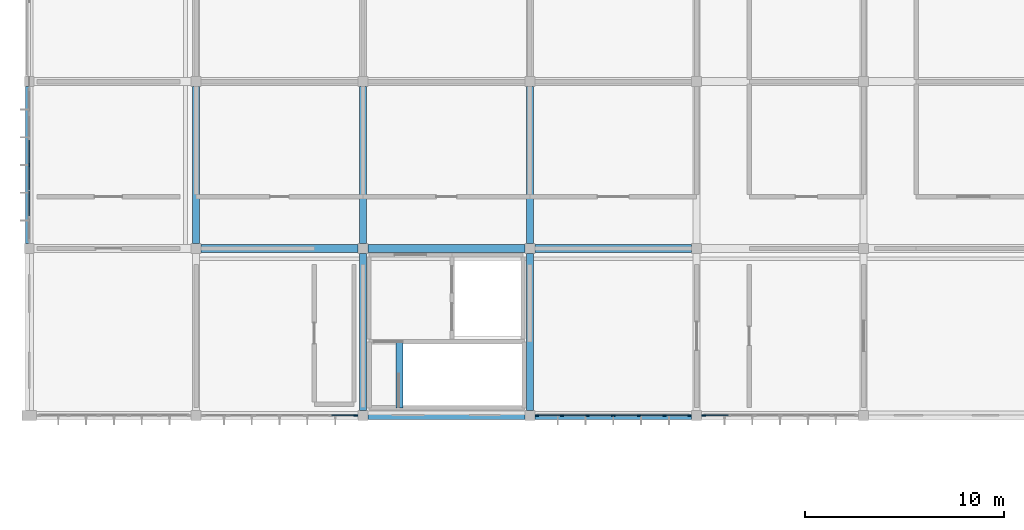
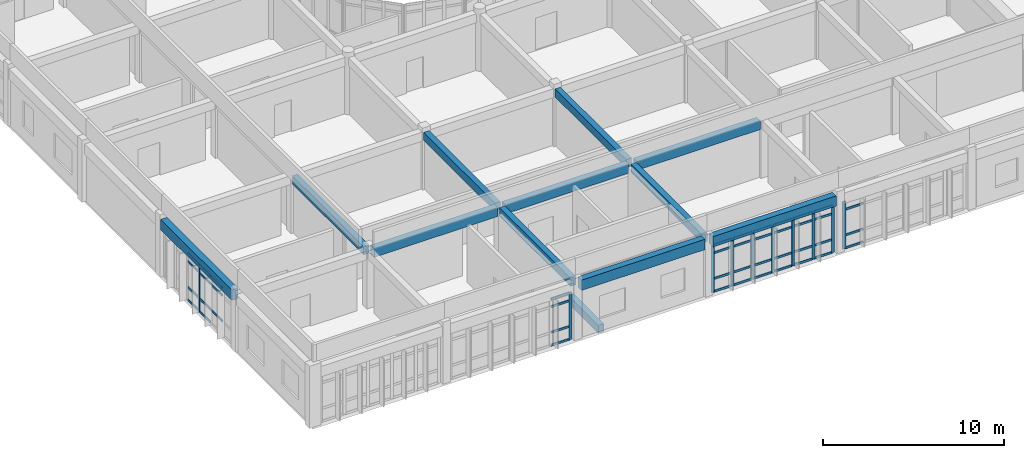
# One storey, part 4 of 119: 52 members, 12 beams, 4 elements without a shape of their own.
"""IFC4 building model written with IfcOpenShell, lengths in metres."""

from ifc_helpers import new_model, si_unit, direction, frame, origin, origin_2d, place, context, subcontext, project, spatial, rectangle, extrude, material, layer, layer_set, material_profile, profile_set, type_object, element, aggregate, save


model = new_model("IFC4")

# Units and contexts
model_context = context("Model", 3, precision=1e-05, world=origin(), true_north=direction((0.0, 1.0)))
body_context = subcontext(model_context, "Body", "Model", "MODEL_VIEW")
ifc_project = project(units=[si_unit("LENGTHUNIT", "METRE"), si_unit("AREAUNIT", "SQUARE_METRE"), si_unit("VOLUMEUNIT", "CUBIC_METRE"), si_unit("PLANEANGLEUNIT", "RADIAN"), si_unit("MASSUNIT", "GRAM", prefix="KILO")], contexts=[model_context])

# Site, building, storey
site_placement = place(None, origin())
site = spatial("IfcSite", under=ifc_project, at=site_placement, CompositionType="ELEMENT")
building_placement = place(site_placement, origin())
building = spatial("IfcBuilding", under=site, at=building_placement, Name="Bramfleet General Hospital", CompositionType="ELEMENT")
storey_placement = place(building_placement, frame((0.0, 0.0, 14.39990234375)))
storey = spatial("IfcBuildingStorey", under=building, at=storey_placement, Name="L03", CompositionType="ELEMENT", Elevation=14.39990234375)

# Beams
ifc_material_1 = material(Name="Concrete C35/45", Category="concrete")
ifc_material_profile_1 = material_profile(ifc_material_1, rectangle(XDim=0.35009765625, YDim=0.550048828125, at=origin_2d()), Name="RC BM 550x350")
ifc_profile_set_1 = profile_set([ifc_material_profile_1], Name="Concrete C35/45")
beam_type_1 = type_object("IfcBeamType", Name="BM-RC550", PredefinedType="BEAM", material=ifc_profile_set_1)
beam_1_placement = place(storey_placement, frame((8.39990234375, 59.050048828125, 3.614990234375), z_axis=(0.0, 1.0, 0.0), x_axis=(-1.0, 0.0, 0.0)))
element("IfcBeam", 1, at=beam_1_placement, inside=storey, type_object=beam_type_1, Name="L03 Grid Beam Y 01-07", PredefinedType="BEAM", context=body_context, shape_type="SweptSolid", body=[
    extrude(rectangle(XDim=0.35009765625, YDim=0.550048828125, at=origin_2d()), origin(), (0.0, 0.0, 1.0), 7.89990234375),
])
beam_2_placement = place(storey_placement, frame((16.800048828125, 50.64990234375, 3.625), z_axis=(0.0, 1.0, 0.0), x_axis=(-1.0, 0.0, 0.0)))
element("IfcBeam", 2, at=beam_2_placement, inside=storey, type_object=beam_type_1, Name="L03 Grid Beam Y 02-06", PredefinedType="BEAM", context=body_context, shape_type="SweptSolid", body=[
    extrude(rectangle(XDim=0.35009765625, YDim=0.550048828125, at=origin_2d()), origin(), (0.0, 0.0, 1.0), 7.900146484375),
])
beam_3_placement = place(storey_placement, frame((16.800048828125, 59.050048828125, 3.614990234375), z_axis=(0.0, 1.0, 0.0), x_axis=(-1.0, 0.0, 0.0)))
element("IfcBeam", 3, at=beam_3_placement, inside=storey, type_object=beam_type_1, Name="L03 Grid Beam Y 02-07", PredefinedType="BEAM", context=body_context, shape_type="SweptSolid", body=[
    extrude(rectangle(XDim=0.35009765625, YDim=0.550048828125, at=origin_2d()), origin(), (0.0, 0.0, 1.0), 7.89990234375),
])
beam_4_placement = place(storey_placement, frame((25.199951171875, 50.64990234375, 3.625), z_axis=(0.0, 1.0, 0.0), x_axis=(-1.0, 0.0, 0.0)))
element("IfcBeam", 4, at=beam_4_placement, inside=storey, type_object=beam_type_1, Name="L03 Grid Beam Y 03-06", PredefinedType="BEAM", context=body_context, shape_type="SweptSolid", body=[
    extrude(rectangle(XDim=0.35009765625, YDim=0.550048828125, at=origin_2d()), origin(), (0.0, 0.0, 1.0), 7.900146484375),
])
beam_5_placement = place(storey_placement, frame((25.199951171875, 59.050048828125, 3.614990234375), z_axis=(0.0, 1.0, 0.0), x_axis=(-1.0, 0.0, 0.0)))
element("IfcBeam", 5, at=beam_5_placement, inside=storey, type_object=beam_type_1, Name="L03 Grid Beam Y 03-07", PredefinedType="BEAM", context=body_context, shape_type="SweptSolid", body=[
    extrude(rectangle(XDim=0.35009765625, YDim=0.550048828125, at=origin_2d()), origin(), (0.0, 0.0, 1.0), 7.89990234375),
])
beam_6_placement = place(storey_placement, frame((18.639892578125, 50.780029296875, -0.27490234375), z_axis=(0.0, 1.0, 0.0), x_axis=(-1.0, 0.0, 0.0)))
element("IfcBeam", 6, at=beam_6_placement, inside=storey, type_object=beam_type_1, Name="L03 C2 Stairwell Trimmer Beam", PredefinedType="BEAM", context=body_context, shape_type="SweptSolid", body=[
    extrude(rectangle(XDim=0.35009765625, YDim=0.550048828125, at=origin_2d()), origin(), (0.0, 0.0, 1.0), 3.320068359375),
])
ifc_material_profile_2 = material_profile(ifc_material_1, rectangle(XDim=0.39990234375, YDim=0.60009765625, at=origin_2d()), Name="RC BM 600x400")
ifc_profile_set_2 = profile_set([ifc_material_profile_2], Name="Concrete C35/45")
beam_type_2 = type_object("IfcBeamType", Name="BM-RC600", PredefinedType="BEAM", material=ifc_profile_set_2)
beam_7_placement = place(storey_placement, frame((8.64990234375, 58.800048828125, 3.590087890625), z_axis=(1.0, 0.0, 0.0), x_axis=(0.0, 1.0, 0.0)))
element("IfcBeam", 7, at=beam_7_placement, inside=storey, type_object=beam_type_2, Name="L03 Grid Beam X 01-07", PredefinedType="BEAM", context=body_context, shape_type="SweptSolid", body=[
    extrude(rectangle(XDim=0.39990234375, YDim=0.60009765625, at=origin_2d()), origin(), (0.0, 0.0, 1.0), 7.900146484375),
])
beam_8_placement = place(storey_placement, frame((17.050048828125, 58.800048828125, 3.590087890625), z_axis=(1.0, 0.0, 0.0), x_axis=(0.0, 1.0, 0.0)))
element("IfcBeam", 8, at=beam_8_placement, inside=storey, type_object=beam_type_2, Name="L03 Grid Beam X 02-07", PredefinedType="BEAM", context=body_context, shape_type="SweptSolid", body=[
    extrude(rectangle(XDim=0.39990234375, YDim=0.60009765625, at=origin_2d()), origin(), (0.0, 0.0, 1.0), 7.89990234375),
])
beam_9_placement = place(storey_placement, frame((25.449951171875, 58.800048828125, 3.590087890625), z_axis=(1.0, 0.0, 0.0), x_axis=(0.0, 1.0, 0.0)))
element("IfcBeam", 9, at=beam_9_placement, inside=storey, type_object=beam_type_2, Name="L03 Grid Beam X 03-07", PredefinedType="BEAM", context=body_context, shape_type="SweptSolid", body=[
    extrude(rectangle(XDim=0.39990234375, YDim=0.60009765625, at=origin_2d()), origin(), (0.0, 0.0, 1.0), 7.900146484375),
])
ifc_material_profile_3 = material_profile(ifc_material_1, rectangle(XDim=0.39990234375, YDim=0.699951171875, at=origin_2d()), Name="RC SP 700x400")
ifc_profile_set_3 = profile_set([ifc_material_profile_3], Name="Concrete C35/45")
beam_type_3 = type_object("IfcBeamType", Name="BM-SP700", PredefinedType="SPANDREL", material=ifc_profile_set_3)
beam_10_placement = place(storey_placement, frame((17.050048828125, 50.39990234375, 3.550048828125), z_axis=(1.0, 0.0, 0.0), x_axis=(0.0, 1.0, 0.0)))
element("IfcBeam", 10, at=beam_10_placement, inside=storey, type_object=beam_type_3, Name="L03 Grid Beam X 02-06", PredefinedType="SPANDREL", context=body_context, shape_type="SweptSolid", body=[
    extrude(rectangle(XDim=0.39990234375, YDim=0.699951171875, at=origin_2d()), origin(), (0.0, 0.0, 1.0), 7.89990234375),
])
beam_11_placement = place(storey_placement, frame((25.449951171875, 50.39990234375, 3.550048828125), z_axis=(1.0, 0.0, 0.0), x_axis=(0.0, 1.0, 0.0)))
element("IfcBeam", 11, at=beam_11_placement, inside=storey, type_object=beam_type_3, Name="L03 Grid Beam X 03-06", PredefinedType="SPANDREL", context=body_context, shape_type="SweptSolid", body=[
    extrude(rectangle(XDim=0.39990234375, YDim=0.699951171875, at=origin_2d()), origin(), (0.0, 0.0, 1.0), 7.900146484375),
])
beam_12_placement = place(storey_placement, frame((0.0, 59.050048828125, 3.550048828125), z_axis=(0.0, 1.0, 0.0), x_axis=(-1.0, 0.0, 0.0)))
element("IfcBeam", 12, at=beam_12_placement, inside=storey, type_object=beam_type_3, Name="L03 Grid Beam Y 00-07", PredefinedType="SPANDREL", context=body_context, shape_type="SweptSolid", body=[
    extrude(rectangle(XDim=0.39990234375, YDim=0.699951171875, at=origin_2d()), origin(), (0.0, 0.0, 1.0), 7.89990234375),
])

# Curtain wall, member
ifc_material_2 = material(Name="Anodised aluminium and low-E triple glazing", Category="aluminium")
ifc_layer_1 = layer(ifc_material_2, 0.179931640625, Name="CWT-CW-16")
ifc_layer_set_1 = layer_set([ifc_layer_1], Name="Anodised aluminium and low-E triple glazing")
curtain_wall_type_1 = type_object("IfcCurtainWallType", Name="CWT-CW-16", PredefinedType="USERDEFINED", material=ifc_layer_set_1)
curtain_wall_1_placement = place(storey_placement, origin())
curtain_wall_1 = element("IfcCurtainWall", 13, at=curtain_wall_1_placement, inside=storey, type_object=curtain_wall_type_1, Name="L03 Curtain Wall 142", ObjectType="Stick curtain wall", PredefinedType="USERDEFINED")
ifc_material_3 = material(Name="Structural timber GL28h", Category="wood")
ifc_material_profile_4 = material_profile(ifc_material_3, rectangle(XDim=0.070068359375, YDim=0.18994140625, at=origin_2d()), Name="LARCH 190x70")
ifc_profile_set_4 = profile_set([ifc_material_profile_4], Name="Structural timber GL28h")
member_type_1 = type_object("IfcMemberType", Name="CWM-LARCH450", PredefinedType="MULLION", material=ifc_profile_set_4)
member_1_placement = place(storey_placement, frame((0.0, 63.0, 0.0), z_axis=(0.0, 0.0, 1.0), x_axis=(-1.0, 0.0, 0.0)))
member_1 = element("IfcMember", 14, at=member_1_placement, type_object=member_type_1, Name="CW-16 mullion 4", PredefinedType="MULLION", context=body_context, shape_type="SweptSolid", body=[
    extrude(rectangle(XDim=0.070068359375, YDim=0.18994140625, at=origin_2d()), origin(), (0.0, 0.0, 1.0), 3.190185546875),
])

ifc_layer_2 = layer(ifc_material_2, 0.179931640625, Name="CWT-CW-03")
ifc_layer_set_2 = layer_set([ifc_layer_2], Name="Anodised aluminium and low-E triple glazing")
curtain_wall_type_2 = type_object("IfcCurtainWallType", Name="CWT-CW-03", PredefinedType="USERDEFINED", material=ifc_layer_set_2)
curtain_wall_2_placement = place(storey_placement, origin())
curtain_wall_2 = element("IfcCurtainWall", 15, at=curtain_wall_2_placement, inside=storey, type_object=curtain_wall_type_2, Name="L03 Curtain Wall 183", ObjectType="Unitised curtain wall", PredefinedType="USERDEFINED")
member_2_placement = place(storey_placement, frame((33.9599609375, 50.39990234375, 0.0), z_axis=(0.0, 0.0, 1.0), x_axis=(0.0, -1.0, 0.0)))
member_2 = element("IfcMember", 16, at=member_2_placement, type_object=member_type_1, Name="CW-03 mullion 7", PredefinedType="MULLION", context=body_context, shape_type="SweptSolid", body=[
    extrude(rectangle(XDim=0.070068359375, YDim=0.18994140625, at=origin_2d()), origin(), (0.0, 0.0, 1.0), 3.190185546875),
])

# Curtain wall, members
ifc_layer_3 = layer(ifc_material_2, 0.179931640625, Name="CWT-CW-04")
ifc_layer_set_3 = layer_set([ifc_layer_3], Name="Anodised aluminium and low-E triple glazing")
curtain_wall_type_3 = type_object("IfcCurtainWallType", Name="CWT-CW-04", PredefinedType="USERDEFINED", material=ifc_layer_set_3)
curtain_wall_3_placement = place(storey_placement, origin())
curtain_wall_3 = element("IfcCurtainWall", 17, at=curtain_wall_3_placement, inside=storey, type_object=curtain_wall_type_3, Name="L03 Curtain Wall 184", ObjectType="Unitised curtain wall", PredefinedType="USERDEFINED")
member_3_placement = place(storey_placement, frame((33.239990234375, 50.39990234375, 0.0), z_axis=(0.0, 0.0, 1.0), x_axis=(0.0, -1.0, 0.0)))
member_3 = element("IfcMember", 18, at=member_3_placement, type_object=member_type_1, Name="CW-04 mullion 1", PredefinedType="MULLION", context=body_context, shape_type="SweptSolid", body=[
    extrude(rectangle(XDim=0.070068359375, YDim=0.18994140625, at=origin_2d()), origin(), (0.0, 0.0, 1.0), 3.190185546875),
])
member_4_placement = place(storey_placement, frame((31.9833984375, 50.39990234375, 0.0), z_axis=(0.0, 0.0, 1.0), x_axis=(0.0, -1.0, 0.0)))
member_4 = element("IfcMember", 19, at=member_4_placement, type_object=member_type_1, Name="CW-04 mullion 2", PredefinedType="MULLION", context=body_context, shape_type="SweptSolid", body=[
    extrude(rectangle(XDim=0.070068359375, YDim=0.18994140625, at=origin_2d()), origin(), (0.0, 0.0, 1.0), 3.190185546875),
])
member_5_placement = place(storey_placement, frame((30.691650390625, 50.39990234375, 0.0), z_axis=(0.0, 0.0, 1.0), x_axis=(0.0, -1.0, 0.0)))
member_5 = element("IfcMember", 20, at=member_5_placement, type_object=member_type_1, Name="CW-04 mullion 3", PredefinedType="MULLION", context=body_context, shape_type="SweptSolid", body=[
    extrude(rectangle(XDim=0.070068359375, YDim=0.18994140625, at=origin_2d()), origin(), (0.0, 0.0, 1.0), 3.190185546875),
])
member_6_placement = place(storey_placement, frame((29.39990234375, 50.39990234375, 0.0), z_axis=(0.0, 0.0, 1.0), x_axis=(0.0, -1.0, 0.0)))
member_6 = element("IfcMember", 21, at=member_6_placement, type_object=member_type_1, Name="CW-04 mullion 4", PredefinedType="MULLION", context=body_context, shape_type="SweptSolid", body=[
    extrude(rectangle(XDim=0.070068359375, YDim=0.18994140625, at=origin_2d()), origin(), (0.0, 0.0, 1.0), 3.190185546875),
])
member_7_placement = place(storey_placement, frame((28.1083984375, 50.39990234375, 0.0), z_axis=(0.0, 0.0, 1.0), x_axis=(0.0, -1.0, 0.0)))
member_7 = element("IfcMember", 22, at=member_7_placement, type_object=member_type_1, Name="CW-04 mullion 5", PredefinedType="MULLION", context=body_context, shape_type="SweptSolid", body=[
    extrude(rectangle(XDim=0.070068359375, YDim=0.18994140625, at=origin_2d()), origin(), (0.0, 0.0, 1.0), 3.190185546875),
])
member_8_placement = place(storey_placement, frame((26.816650390625, 50.39990234375, 0.0), z_axis=(0.0, 0.0, 1.0), x_axis=(0.0, -1.0, 0.0)))
member_8 = element("IfcMember", 23, at=member_8_placement, type_object=member_type_1, Name="CW-04 mullion 6", PredefinedType="MULLION", context=body_context, shape_type="SweptSolid", body=[
    extrude(rectangle(XDim=0.070068359375, YDim=0.18994140625, at=origin_2d()), origin(), (0.0, 0.0, 1.0), 3.190185546875),
])
member_9_placement = place(storey_placement, frame((25.56005859375, 50.39990234375, 0.0), z_axis=(0.0, 0.0, 1.0), x_axis=(0.0, -1.0, 0.0)))
member_9 = element("IfcMember", 24, at=member_9_placement, type_object=member_type_1, Name="CW-04 mullion 7", PredefinedType="MULLION", context=body_context, shape_type="SweptSolid", body=[
    extrude(rectangle(XDim=0.070068359375, YDim=0.18994140625, at=origin_2d()), origin(), (0.0, 0.0, 1.0), 3.190185546875),
])

# Curtain wall, member
ifc_layer_4 = layer(ifc_material_2, 0.179931640625, Name="CWT-CW-05")
ifc_layer_set_4 = layer_set([ifc_layer_4], Name="Anodised aluminium and low-E triple glazing")
curtain_wall_type_4 = type_object("IfcCurtainWallType", Name="CWT-CW-05", PredefinedType="USERDEFINED", material=ifc_layer_set_4)
curtain_wall_4_placement = place(storey_placement, origin())
curtain_wall_4 = element("IfcCurtainWall", 25, at=curtain_wall_4_placement, inside=storey, type_object=curtain_wall_type_4, Name="L03 Curtain Wall 185", ObjectType="Unitised curtain wall", PredefinedType="USERDEFINED")
member_10_placement = place(storey_placement, frame((16.43994140625, 50.39990234375, 0.0), z_axis=(0.0, 0.0, 1.0), x_axis=(0.0, -1.0, 0.0)))
member_10 = element("IfcMember", 26, at=member_10_placement, type_object=member_type_1, Name="CW-05 mullion 1", PredefinedType="MULLION", context=body_context, shape_type="SweptSolid", body=[
    extrude(rectangle(XDim=0.070068359375, YDim=0.18994140625, at=origin_2d()), origin(), (0.0, 0.0, 1.0), 3.190185546875),
])

# Member
ifc_material_profile_5 = material_profile(ifc_material_3, rectangle(XDim=0.06494140625, YDim=0.14990234375, at=origin_2d()), Name="LARCH 150x65")
ifc_profile_set_5 = profile_set([ifc_material_profile_5], Name="Structural timber GL28h")
member_type_2 = type_object("IfcMemberType", Name="CWT-LARCH220", PredefinedType="USERDEFINED", material=ifc_profile_set_5)
member_11_placement = place(storey_placement, frame((0.0, 60.45166015625, 0.900146484375), z_axis=(0.0, 1.0, 0.0), x_axis=(-1.0, 0.0, 0.0)))
member_11 = element("IfcMember", 27, at=member_11_placement, type_object=member_type_2, Name="CW-16 transom 2.2", ObjectType="TRANSOM", PredefinedType="USERDEFINED", context=body_context, shape_type="SweptSolid", body=[
    extrude(rectangle(XDim=0.06494140625, YDim=0.14990234375, at=origin_2d()), origin(), (0.0, 0.0, 1.0), 1.2216796875),
])

member_12_placement = place(storey_placement, frame((0.0, 60.45166015625, 2.64013671875), z_axis=(0.0, 1.0, 0.0), x_axis=(-1.0, 0.0, 0.0)))
member_12 = element("IfcMember", 28, at=member_12_placement, type_object=member_type_2, Name="CW-16 transom 2.3", ObjectType="TRANSOM", PredefinedType="USERDEFINED", context=body_context, shape_type="SweptSolid", body=[
    extrude(rectangle(XDim=0.06494140625, YDim=0.14990234375, at=origin_2d()), origin(), (0.0, 0.0, 1.0), 1.2216796875),
])

member_13_placement = place(storey_placement, frame((0.0, 60.45166015625, 3.15771484375), z_axis=(0.0, 1.0, 0.0), x_axis=(-1.0, 0.0, 0.0)))
member_13 = element("IfcMember", 29, at=member_13_placement, type_object=member_type_2, Name="CW-16 transom 2.4", ObjectType="TRANSOM", PredefinedType="USERDEFINED", context=body_context, shape_type="SweptSolid", body=[
    extrude(rectangle(XDim=0.06494140625, YDim=0.14990234375, at=origin_2d()), origin(), (0.0, 0.0, 1.0), 1.2216796875),
])

member_14_placement = place(storey_placement, frame((0.0, 61.743408203125, 0.03271484375), z_axis=(0.0, 1.0, 0.0), x_axis=(-1.0, 0.0, 0.0)))
member_14 = element("IfcMember", 30, at=member_14_placement, type_object=member_type_2, Name="CW-16 transom 3.1", ObjectType="TRANSOM", PredefinedType="USERDEFINED", context=body_context, shape_type="SweptSolid", body=[
    extrude(rectangle(XDim=0.06494140625, YDim=0.14990234375, at=origin_2d()), origin(), (0.0, 0.0, 1.0), 1.2216796875),
])

member_15_placement = place(storey_placement, frame((0.0, 61.743408203125, 0.900146484375), z_axis=(0.0, 1.0, 0.0), x_axis=(-1.0, 0.0, 0.0)))
member_15 = element("IfcMember", 31, at=member_15_placement, type_object=member_type_2, Name="CW-16 transom 3.2", ObjectType="TRANSOM", PredefinedType="USERDEFINED", context=body_context, shape_type="SweptSolid", body=[
    extrude(rectangle(XDim=0.06494140625, YDim=0.14990234375, at=origin_2d()), origin(), (0.0, 0.0, 1.0), 1.2216796875),
])

member_16_placement = place(storey_placement, frame((0.0, 61.743408203125, 2.64013671875), z_axis=(0.0, 1.0, 0.0), x_axis=(-1.0, 0.0, 0.0)))
member_16 = element("IfcMember", 32, at=member_16_placement, type_object=member_type_2, Name="CW-16 transom 3.3", ObjectType="TRANSOM", PredefinedType="USERDEFINED", context=body_context, shape_type="SweptSolid", body=[
    extrude(rectangle(XDim=0.06494140625, YDim=0.14990234375, at=origin_2d()), origin(), (0.0, 0.0, 1.0), 1.2216796875),
])

member_17_placement = place(storey_placement, frame((0.0, 61.743408203125, 3.15771484375), z_axis=(0.0, 1.0, 0.0), x_axis=(-1.0, 0.0, 0.0)))
member_17 = element("IfcMember", 33, at=member_17_placement, type_object=member_type_2, Name="CW-16 transom 3.4", ObjectType="TRANSOM", PredefinedType="USERDEFINED", context=body_context, shape_type="SweptSolid", body=[
    extrude(rectangle(XDim=0.06494140625, YDim=0.14990234375, at=origin_2d()), origin(), (0.0, 0.0, 1.0), 1.2216796875),
])

member_18_placement = place(storey_placement, frame((0.0, 63.034912109375, 0.03271484375), z_axis=(0.0, 1.0, 0.0), x_axis=(-1.0, 0.0, 0.0)))
member_18 = element("IfcMember", 34, at=member_18_placement, type_object=member_type_2, Name="CW-16 transom 4.1", ObjectType="TRANSOM", PredefinedType="USERDEFINED", context=body_context, shape_type="SweptSolid", body=[
    extrude(rectangle(XDim=0.06494140625, YDim=0.14990234375, at=origin_2d()), origin(), (0.0, 0.0, 1.0), 1.2216796875),
])

member_19_placement = place(storey_placement, frame((0.0, 63.034912109375, 0.900146484375), z_axis=(0.0, 1.0, 0.0), x_axis=(-1.0, 0.0, 0.0)))
member_19 = element("IfcMember", 35, at=member_19_placement, type_object=member_type_2, Name="CW-16 transom 4.2", ObjectType="TRANSOM", PredefinedType="USERDEFINED", context=body_context, shape_type="SweptSolid", body=[
    extrude(rectangle(XDim=0.06494140625, YDim=0.14990234375, at=origin_2d()), origin(), (0.0, 0.0, 1.0), 1.2216796875),
])

member_20_placement = place(storey_placement, frame((0.0, 63.034912109375, 2.64013671875), z_axis=(0.0, 1.0, 0.0), x_axis=(-1.0, 0.0, 0.0)))
member_20 = element("IfcMember", 36, at=member_20_placement, type_object=member_type_2, Name="CW-16 transom 4.3", ObjectType="TRANSOM", PredefinedType="USERDEFINED", context=body_context, shape_type="SweptSolid", body=[
    extrude(rectangle(XDim=0.06494140625, YDim=0.14990234375, at=origin_2d()), origin(), (0.0, 0.0, 1.0), 1.2216796875),
])

member_21_placement = place(storey_placement, frame((0.0, 63.034912109375, 3.15771484375), z_axis=(0.0, 1.0, 0.0), x_axis=(-1.0, 0.0, 0.0)))
member_21 = element("IfcMember", 37, at=member_21_placement, type_object=member_type_2, Name="CW-16 transom 4.4", ObjectType="TRANSOM", PredefinedType="USERDEFINED", context=body_context, shape_type="SweptSolid", body=[
    extrude(rectangle(XDim=0.06494140625, YDim=0.14990234375, at=origin_2d()), origin(), (0.0, 0.0, 1.0), 1.2216796875),
])

aggregate(curtain_wall_1, [member_1, member_11, member_12, member_13, member_14, member_15, member_16, member_17, member_18, member_19, member_20, member_21])

member_22_placement = place(storey_placement, frame((35.181640625, 50.39990234375, 0.03271484375), z_axis=(-1.0, 0.0, 0.0), x_axis=(0.0, -1.0, 0.0)))
member_22 = element("IfcMember", 38, at=member_22_placement, type_object=member_type_2, Name="CW-03 transom 6.1", ObjectType="TRANSOM", PredefinedType="USERDEFINED", context=body_context, shape_type="SweptSolid", body=[
    extrude(rectangle(XDim=0.06494140625, YDim=0.14990234375, at=origin_2d()), origin(), (0.0, 0.0, 1.0), 1.1865234375),
])

member_23_placement = place(storey_placement, frame((35.181640625, 50.39990234375, 0.900146484375), z_axis=(-1.0, 0.0, 0.0), x_axis=(0.0, -1.0, 0.0)))
member_23 = element("IfcMember", 39, at=member_23_placement, type_object=member_type_2, Name="CW-03 transom 6.2", ObjectType="TRANSOM", PredefinedType="USERDEFINED", context=body_context, shape_type="SweptSolid", body=[
    extrude(rectangle(XDim=0.06494140625, YDim=0.14990234375, at=origin_2d()), origin(), (0.0, 0.0, 1.0), 1.1865234375),
])

member_24_placement = place(storey_placement, frame((35.181640625, 50.39990234375, 2.64013671875), z_axis=(-1.0, 0.0, 0.0), x_axis=(0.0, -1.0, 0.0)))
member_24 = element("IfcMember", 40, at=member_24_placement, type_object=member_type_2, Name="CW-03 transom 6.3", ObjectType="TRANSOM", PredefinedType="USERDEFINED", context=body_context, shape_type="SweptSolid", body=[
    extrude(rectangle(XDim=0.06494140625, YDim=0.14990234375, at=origin_2d()), origin(), (0.0, 0.0, 1.0), 1.1865234375),
])

aggregate(curtain_wall_2, [member_2, member_22, member_23, member_24])

member_25_placement = place(storey_placement, frame((33.205078125, 50.39990234375, 0.03271484375), z_axis=(-1.0, 0.0, 0.0), x_axis=(0.0, -1.0, 0.0)))
member_25 = element("IfcMember", 41, at=member_25_placement, type_object=member_type_2, Name="CW-04 transom 1.1", ObjectType="TRANSOM", PredefinedType="USERDEFINED", context=body_context, shape_type="SweptSolid", body=[
    extrude(rectangle(XDim=0.06494140625, YDim=0.14990234375, at=origin_2d()), origin(), (0.0, 0.0, 1.0), 1.186767578125),
])

member_26_placement = place(storey_placement, frame((33.205078125, 50.39990234375, 0.900146484375), z_axis=(-1.0, 0.0, 0.0), x_axis=(0.0, -1.0, 0.0)))
member_26 = element("IfcMember", 42, at=member_26_placement, type_object=member_type_2, Name="CW-04 transom 1.2", ObjectType="TRANSOM", PredefinedType="USERDEFINED", context=body_context, shape_type="SweptSolid", body=[
    extrude(rectangle(XDim=0.06494140625, YDim=0.14990234375, at=origin_2d()), origin(), (0.0, 0.0, 1.0), 1.186767578125),
])

member_27_placement = place(storey_placement, frame((33.205078125, 50.39990234375, 2.64013671875), z_axis=(-1.0, 0.0, 0.0), x_axis=(0.0, -1.0, 0.0)))
member_27 = element("IfcMember", 43, at=member_27_placement, type_object=member_type_2, Name="CW-04 transom 1.3", ObjectType="TRANSOM", PredefinedType="USERDEFINED", context=body_context, shape_type="SweptSolid", body=[
    extrude(rectangle(XDim=0.06494140625, YDim=0.14990234375, at=origin_2d()), origin(), (0.0, 0.0, 1.0), 1.186767578125),
])

member_28_placement = place(storey_placement, frame((33.205078125, 50.39990234375, 3.15771484375), z_axis=(-1.0, 0.0, 0.0), x_axis=(0.0, -1.0, 0.0)))
member_28 = element("IfcMember", 44, at=member_28_placement, type_object=member_type_2, Name="CW-04 transom 1.4", ObjectType="TRANSOM", PredefinedType="USERDEFINED", context=body_context, shape_type="SweptSolid", body=[
    extrude(rectangle(XDim=0.06494140625, YDim=0.14990234375, at=origin_2d()), origin(), (0.0, 0.0, 1.0), 1.186767578125),
])

member_29_placement = place(storey_placement, frame((31.9482421875, 50.39990234375, 0.03271484375), z_axis=(-1.0, 0.0, 0.0), x_axis=(0.0, -1.0, 0.0)))
member_29 = element("IfcMember", 45, at=member_29_placement, type_object=member_type_2, Name="CW-04 transom 2.1", ObjectType="TRANSOM", PredefinedType="USERDEFINED", context=body_context, shape_type="SweptSolid", body=[
    extrude(rectangle(XDim=0.06494140625, YDim=0.14990234375, at=origin_2d()), origin(), (0.0, 0.0, 1.0), 1.2216796875),
])

member_30_placement = place(storey_placement, frame((31.9482421875, 50.39990234375, 0.900146484375), z_axis=(-1.0, 0.0, 0.0), x_axis=(0.0, -1.0, 0.0)))
member_30 = element("IfcMember", 46, at=member_30_placement, type_object=member_type_2, Name="CW-04 transom 2.2", ObjectType="TRANSOM", PredefinedType="USERDEFINED", context=body_context, shape_type="SweptSolid", body=[
    extrude(rectangle(XDim=0.06494140625, YDim=0.14990234375, at=origin_2d()), origin(), (0.0, 0.0, 1.0), 1.2216796875),
])

member_31_placement = place(storey_placement, frame((31.9482421875, 50.39990234375, 2.64013671875), z_axis=(-1.0, 0.0, 0.0), x_axis=(0.0, -1.0, 0.0)))
member_31 = element("IfcMember", 47, at=member_31_placement, type_object=member_type_2, Name="CW-04 transom 2.3", ObjectType="TRANSOM", PredefinedType="USERDEFINED", context=body_context, shape_type="SweptSolid", body=[
    extrude(rectangle(XDim=0.06494140625, YDim=0.14990234375, at=origin_2d()), origin(), (0.0, 0.0, 1.0), 1.2216796875),
])

member_32_placement = place(storey_placement, frame((31.9482421875, 50.39990234375, 3.15771484375), z_axis=(-1.0, 0.0, 0.0), x_axis=(0.0, -1.0, 0.0)))
member_32 = element("IfcMember", 48, at=member_32_placement, type_object=member_type_2, Name="CW-04 transom 2.4", ObjectType="TRANSOM", PredefinedType="USERDEFINED", context=body_context, shape_type="SweptSolid", body=[
    extrude(rectangle(XDim=0.06494140625, YDim=0.14990234375, at=origin_2d()), origin(), (0.0, 0.0, 1.0), 1.2216796875),
])

member_33_placement = place(storey_placement, frame((30.65673828125, 50.39990234375, 0.03271484375), z_axis=(-1.0, 0.0, 0.0), x_axis=(0.0, -1.0, 0.0)))
member_33 = element("IfcMember", 49, at=member_33_placement, type_object=member_type_2, Name="CW-04 transom 3.1", ObjectType="TRANSOM", PredefinedType="USERDEFINED", context=body_context, shape_type="SweptSolid", body=[
    extrude(rectangle(XDim=0.06494140625, YDim=0.14990234375, at=origin_2d()), origin(), (0.0, 0.0, 1.0), 1.2216796875),
])

member_34_placement = place(storey_placement, frame((30.65673828125, 50.39990234375, 0.900146484375), z_axis=(-1.0, 0.0, 0.0), x_axis=(0.0, -1.0, 0.0)))
member_34 = element("IfcMember", 50, at=member_34_placement, type_object=member_type_2, Name="CW-04 transom 3.2", ObjectType="TRANSOM", PredefinedType="USERDEFINED", context=body_context, shape_type="SweptSolid", body=[
    extrude(rectangle(XDim=0.06494140625, YDim=0.14990234375, at=origin_2d()), origin(), (0.0, 0.0, 1.0), 1.2216796875),
])

member_35_placement = place(storey_placement, frame((30.65673828125, 50.39990234375, 2.64013671875), z_axis=(-1.0, 0.0, 0.0), x_axis=(0.0, -1.0, 0.0)))
member_35 = element("IfcMember", 51, at=member_35_placement, type_object=member_type_2, Name="CW-04 transom 3.3", ObjectType="TRANSOM", PredefinedType="USERDEFINED", context=body_context, shape_type="SweptSolid", body=[
    extrude(rectangle(XDim=0.06494140625, YDim=0.14990234375, at=origin_2d()), origin(), (0.0, 0.0, 1.0), 1.2216796875),
])

member_36_placement = place(storey_placement, frame((30.65673828125, 50.39990234375, 3.15771484375), z_axis=(-1.0, 0.0, 0.0), x_axis=(0.0, -1.0, 0.0)))
member_36 = element("IfcMember", 52, at=member_36_placement, type_object=member_type_2, Name="CW-04 transom 3.4", ObjectType="TRANSOM", PredefinedType="USERDEFINED", context=body_context, shape_type="SweptSolid", body=[
    extrude(rectangle(XDim=0.06494140625, YDim=0.14990234375, at=origin_2d()), origin(), (0.0, 0.0, 1.0), 1.2216796875),
])

member_37_placement = place(storey_placement, frame((29.364990234375, 50.39990234375, 0.03271484375), z_axis=(-1.0, 0.0, 0.0), x_axis=(0.0, -1.0, 0.0)))
member_37 = element("IfcMember", 53, at=member_37_placement, type_object=member_type_2, Name="CW-04 transom 4.1", ObjectType="TRANSOM", PredefinedType="USERDEFINED", context=body_context, shape_type="SweptSolid", body=[
    extrude(rectangle(XDim=0.06494140625, YDim=0.14990234375, at=origin_2d()), origin(), (0.0, 0.0, 1.0), 1.2216796875),
])

member_38_placement = place(storey_placement, frame((29.364990234375, 50.39990234375, 0.900146484375), z_axis=(-1.0, 0.0, 0.0), x_axis=(0.0, -1.0, 0.0)))
member_38 = element("IfcMember", 54, at=member_38_placement, type_object=member_type_2, Name="CW-04 transom 4.2", ObjectType="TRANSOM", PredefinedType="USERDEFINED", context=body_context, shape_type="SweptSolid", body=[
    extrude(rectangle(XDim=0.06494140625, YDim=0.14990234375, at=origin_2d()), origin(), (0.0, 0.0, 1.0), 1.2216796875),
])

member_39_placement = place(storey_placement, frame((29.364990234375, 50.39990234375, 2.64013671875), z_axis=(-1.0, 0.0, 0.0), x_axis=(0.0, -1.0, 0.0)))
member_39 = element("IfcMember", 55, at=member_39_placement, type_object=member_type_2, Name="CW-04 transom 4.3", ObjectType="TRANSOM", PredefinedType="USERDEFINED", context=body_context, shape_type="SweptSolid", body=[
    extrude(rectangle(XDim=0.06494140625, YDim=0.14990234375, at=origin_2d()), origin(), (0.0, 0.0, 1.0), 1.2216796875),
])

member_40_placement = place(storey_placement, frame((29.364990234375, 50.39990234375, 3.15771484375), z_axis=(-1.0, 0.0, 0.0), x_axis=(0.0, -1.0, 0.0)))
member_40 = element("IfcMember", 56, at=member_40_placement, type_object=member_type_2, Name="CW-04 transom 4.4", ObjectType="TRANSOM", PredefinedType="USERDEFINED", context=body_context, shape_type="SweptSolid", body=[
    extrude(rectangle(XDim=0.06494140625, YDim=0.14990234375, at=origin_2d()), origin(), (0.0, 0.0, 1.0), 1.2216796875),
])

member_41_placement = place(storey_placement, frame((28.0732421875, 50.39990234375, 0.03271484375), z_axis=(-1.0, 0.0, 0.0), x_axis=(0.0, -1.0, 0.0)))
member_41 = element("IfcMember", 57, at=member_41_placement, type_object=member_type_2, Name="CW-04 transom 5.1", ObjectType="TRANSOM", PredefinedType="USERDEFINED", context=body_context, shape_type="SweptSolid", body=[
    extrude(rectangle(XDim=0.06494140625, YDim=0.14990234375, at=origin_2d()), origin(), (0.0, 0.0, 1.0), 1.2216796875),
])

member_42_placement = place(storey_placement, frame((28.0732421875, 50.39990234375, 0.900146484375), z_axis=(-1.0, 0.0, 0.0), x_axis=(0.0, -1.0, 0.0)))
member_42 = element("IfcMember", 58, at=member_42_placement, type_object=member_type_2, Name="CW-04 transom 5.2", ObjectType="TRANSOM", PredefinedType="USERDEFINED", context=body_context, shape_type="SweptSolid", body=[
    extrude(rectangle(XDim=0.06494140625, YDim=0.14990234375, at=origin_2d()), origin(), (0.0, 0.0, 1.0), 1.2216796875),
])

member_43_placement = place(storey_placement, frame((28.0732421875, 50.39990234375, 2.64013671875), z_axis=(-1.0, 0.0, 0.0), x_axis=(0.0, -1.0, 0.0)))
member_43 = element("IfcMember", 59, at=member_43_placement, type_object=member_type_2, Name="CW-04 transom 5.3", ObjectType="TRANSOM", PredefinedType="USERDEFINED", context=body_context, shape_type="SweptSolid", body=[
    extrude(rectangle(XDim=0.06494140625, YDim=0.14990234375, at=origin_2d()), origin(), (0.0, 0.0, 1.0), 1.2216796875),
])

member_44_placement = place(storey_placement, frame((28.0732421875, 50.39990234375, 3.15771484375), z_axis=(-1.0, 0.0, 0.0), x_axis=(0.0, -1.0, 0.0)))
member_44 = element("IfcMember", 60, at=member_44_placement, type_object=member_type_2, Name="CW-04 transom 5.4", ObjectType="TRANSOM", PredefinedType="USERDEFINED", context=body_context, shape_type="SweptSolid", body=[
    extrude(rectangle(XDim=0.06494140625, YDim=0.14990234375, at=origin_2d()), origin(), (0.0, 0.0, 1.0), 1.2216796875),
])

member_45_placement = place(storey_placement, frame((26.78173828125, 50.39990234375, 0.03271484375), z_axis=(-1.0, 0.0, 0.0), x_axis=(0.0, -1.0, 0.0)))
member_45 = element("IfcMember", 61, at=member_45_placement, type_object=member_type_2, Name="CW-04 transom 6.1", ObjectType="TRANSOM", PredefinedType="USERDEFINED", context=body_context, shape_type="SweptSolid", body=[
    extrude(rectangle(XDim=0.06494140625, YDim=0.14990234375, at=origin_2d()), origin(), (0.0, 0.0, 1.0), 1.186767578125),
])

member_46_placement = place(storey_placement, frame((26.78173828125, 50.39990234375, 0.900146484375), z_axis=(-1.0, 0.0, 0.0), x_axis=(0.0, -1.0, 0.0)))
member_46 = element("IfcMember", 62, at=member_46_placement, type_object=member_type_2, Name="CW-04 transom 6.2", ObjectType="TRANSOM", PredefinedType="USERDEFINED", context=body_context, shape_type="SweptSolid", body=[
    extrude(rectangle(XDim=0.06494140625, YDim=0.14990234375, at=origin_2d()), origin(), (0.0, 0.0, 1.0), 1.186767578125),
])

member_47_placement = place(storey_placement, frame((26.78173828125, 50.39990234375, 2.64013671875), z_axis=(-1.0, 0.0, 0.0), x_axis=(0.0, -1.0, 0.0)))
member_47 = element("IfcMember", 63, at=member_47_placement, type_object=member_type_2, Name="CW-04 transom 6.3", ObjectType="TRANSOM", PredefinedType="USERDEFINED", context=body_context, shape_type="SweptSolid", body=[
    extrude(rectangle(XDim=0.06494140625, YDim=0.14990234375, at=origin_2d()), origin(), (0.0, 0.0, 1.0), 1.186767578125),
])

member_48_placement = place(storey_placement, frame((26.78173828125, 50.39990234375, 3.15771484375), z_axis=(-1.0, 0.0, 0.0), x_axis=(0.0, -1.0, 0.0)))
member_48 = element("IfcMember", 64, at=member_48_placement, type_object=member_type_2, Name="CW-04 transom 6.4", ObjectType="TRANSOM", PredefinedType="USERDEFINED", context=body_context, shape_type="SweptSolid", body=[
    extrude(rectangle(XDim=0.06494140625, YDim=0.14990234375, at=origin_2d()), origin(), (0.0, 0.0, 1.0), 1.186767578125),
])

aggregate(curtain_wall_3, [member_3, member_4, member_5, member_6, member_7, member_8, member_9, member_25, member_26, member_27, member_28, member_29, member_30, member_31, member_32, member_33, member_34, member_35, member_36, member_37, member_38, member_39, member_40, member_41, member_42, member_43, member_44, member_45, member_46, member_47, member_48])

member_49_placement = place(storey_placement, frame((16.405029296875, 50.39990234375, 0.03271484375), z_axis=(-1.0, 0.0, 0.0), x_axis=(0.0, -1.0, 0.0)))
member_49 = element("IfcMember", 65, at=member_49_placement, type_object=member_type_2, Name="CW-05 transom 1.1", ObjectType="TRANSOM", PredefinedType="USERDEFINED", context=body_context, shape_type="SweptSolid", body=[
    extrude(rectangle(XDim=0.06494140625, YDim=0.14990234375, at=origin_2d()), origin(), (0.0, 0.0, 1.0), 1.186767578125),
])

member_50_placement = place(storey_placement, frame((16.405029296875, 50.39990234375, 0.900146484375), z_axis=(-1.0, 0.0, 0.0), x_axis=(0.0, -1.0, 0.0)))
member_50 = element("IfcMember", 66, at=member_50_placement, type_object=member_type_2, Name="CW-05 transom 1.2", ObjectType="TRANSOM", PredefinedType="USERDEFINED", context=body_context, shape_type="SweptSolid", body=[
    extrude(rectangle(XDim=0.06494140625, YDim=0.14990234375, at=origin_2d()), origin(), (0.0, 0.0, 1.0), 1.186767578125),
])

member_51_placement = place(storey_placement, frame((16.405029296875, 50.39990234375, 2.64013671875), z_axis=(-1.0, 0.0, 0.0), x_axis=(0.0, -1.0, 0.0)))
member_51 = element("IfcMember", 67, at=member_51_placement, type_object=member_type_2, Name="CW-05 transom 1.3", ObjectType="TRANSOM", PredefinedType="USERDEFINED", context=body_context, shape_type="SweptSolid", body=[
    extrude(rectangle(XDim=0.06494140625, YDim=0.14990234375, at=origin_2d()), origin(), (0.0, 0.0, 1.0), 1.186767578125),
])

member_52_placement = place(storey_placement, frame((16.405029296875, 50.39990234375, 3.15771484375), z_axis=(-1.0, 0.0, 0.0), x_axis=(0.0, -1.0, 0.0)))
member_52 = element("IfcMember", 68, at=member_52_placement, type_object=member_type_2, Name="CW-05 transom 1.4", ObjectType="TRANSOM", PredefinedType="USERDEFINED", context=body_context, shape_type="SweptSolid", body=[
    extrude(rectangle(XDim=0.06494140625, YDim=0.14990234375, at=origin_2d()), origin(), (0.0, 0.0, 1.0), 1.186767578125),
])

aggregate(curtain_wall_4, [member_10, member_49, member_50, member_51, member_52])

save(model, "model.ifc")
